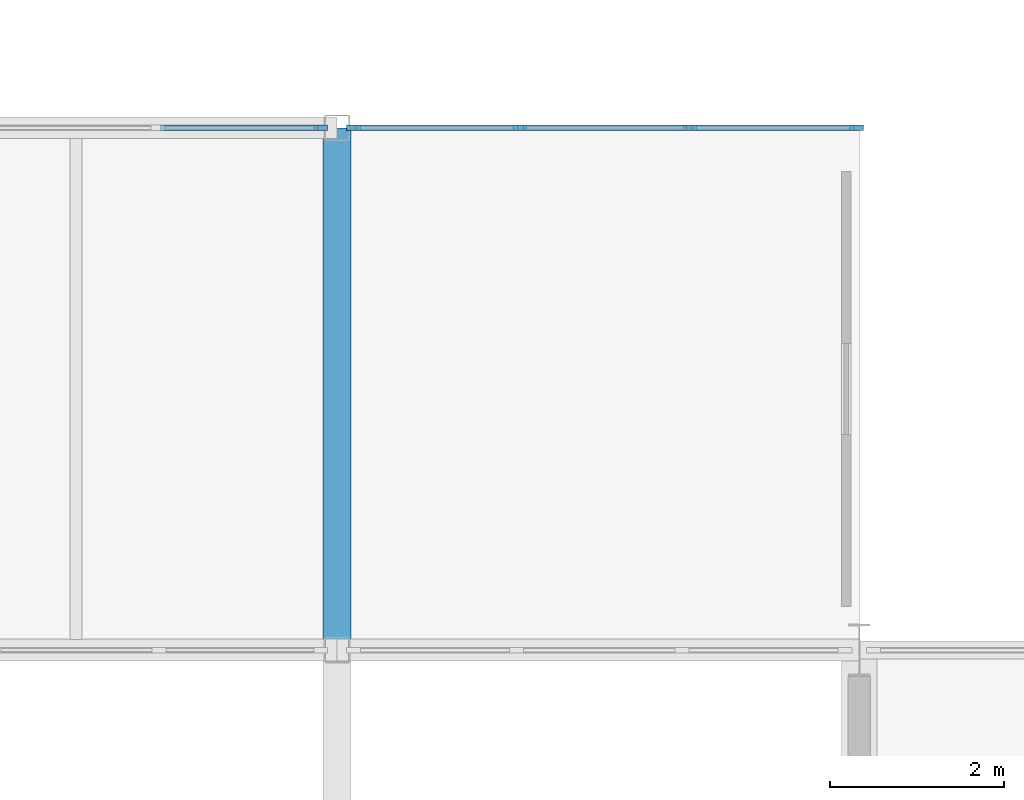
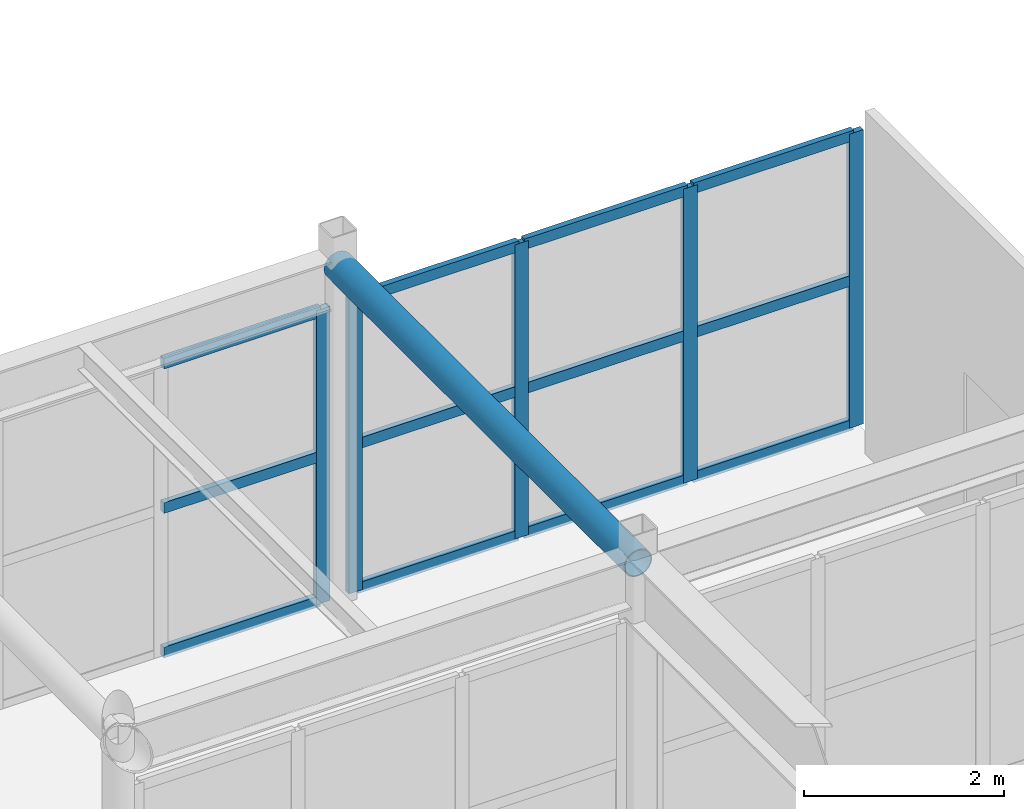
# One storey, part 39 of 96: 17 members, 1 beam, 2 elements without a shape of their own.
"""IFC4 building model written with IfcOpenShell, lengths in metres."""

import ifcopenshell
import ifcopenshell.guid

model = None  # the IFC model being written
_history = None  # IfcOwnerHistory: only IFC2X3 demands one
_inside = {}  # id of a spatial element -> (the spatial element, [elements in it])
_under = {}  # id of a project, library or spatial element -> (it, [spatial elements below it])
_declared = {}  # id of a project -> (the project, [libraries it declares])
_typed = {}  # id of a type object -> (the type object, [elements of that type])
_made_of = {}  # id of a material, layer set ... -> (it, [elements and type objects made of it])


def new_model(schema):
    """Start an empty IFC model of exactly this schema.

    Asked for "IFC4X3", IfcOpenShell would pick the latest addendum, in which some entities
    have other attributes; the version numbers below select the first issue.
    IFC2X3 requires an IfcOwnerHistory on every rooted entity: one is made here for all.
    """
    global model, _history
    if schema == "IFC4X3":
        model = ifcopenshell.file(schema_version=(4, 3, 0, 0))
    else:
        model = ifcopenshell.file(schema=schema)
    _inside.clear()
    _under.clear()
    _declared.clear()
    _typed.clear()
    _made_of.clear()
    _history = None
    if model.schema == "IFC2X3":
        org = make("IfcOrganization", Name="unknown")
        user = make(
            "IfcPersonAndOrganization",
            ThePerson=make("IfcPerson", FamilyName="unknown"),
            TheOrganization=org,
        )
        app = make(
            "IfcApplication",
            ApplicationDeveloper=org,
            Version="unknown",
            ApplicationFullName="unknown",
            ApplicationIdentifier="unknown",
        )
        _history = make(
            "IfcOwnerHistory",
            OwningUser=user,
            OwningApplication=app,
            ChangeAction="ADDED",
            CreationDate=0,
        )
    return model


def make(cls, **values):
    """One entity of the class cls with the attributes given. An attribute that is None is left unset."""
    return model.create_entity(
        cls, **{name: value for name, value in values.items() if value is not None}
    )


def rooted(cls, **values):
    """An entity with a GlobalId (a new one), such as an element, a storey or a relation."""
    return make(cls, GlobalId=ifcopenshell.guid.new(), OwnerHistory=_history, **values)


def si_unit(unit_type, name, prefix=None):
    """IfcSIUnit, for example si_unit("LENGTHUNIT", "METRE", prefix="MILLI")."""
    return make("IfcSIUnit", UnitType=unit_type, Prefix=prefix, Name=name)


def assignment(units):
    """IfcUnitAssignment: the units of a project."""
    return None if units is None else make("IfcUnitAssignment", Units=units)


def point(xyz):
    """IfcCartesianPoint."""
    return None if xyz is None else make("IfcCartesianPoint", Coordinates=xyz)


def direction(xyz):
    """IfcDirection."""
    return None if xyz is None else make("IfcDirection", DirectionRatios=xyz)


def frame(location, z_axis=None, x_axis=None):
    """IfcAxis2Placement3D, a coordinate frame: its origin and axes. An axis left out is left unset."""
    return make(
        "IfcAxis2Placement3D",
        Location=point(location),
        Axis=direction(z_axis),
        RefDirection=direction(x_axis),
    )


def frame_2d(location, x_axis=None):
    """IfcAxis2Placement2D, a coordinate frame in the plane: its origin and x axis."""
    return make(
        "IfcAxis2Placement2D", Location=point(location), RefDirection=direction(x_axis)
    )


def origin():
    """The frame at (0, 0, 0) with its axes left unset."""
    return frame((0.0, 0.0, 0.0))


def origin_2d():
    """The frame at (0, 0) in the plane with its x axis left unset."""
    return frame_2d((0.0, 0.0))


def place(relative_to, where):
    """IfcLocalPlacement: puts the frame where relative to a parent placement (None: the world)."""
    return make(
        "IfcLocalPlacement", PlacementRelTo=relative_to, RelativePlacement=where
    )


def context(
    kind, dimensions, precision=None, world=None, true_north=None, identifier=None
):
    """IfcGeometricRepresentationContext, for example the 3D "Model" context."""
    return make(
        "IfcGeometricRepresentationContext",
        ContextIdentifier=identifier,
        ContextType=kind,
        CoordinateSpaceDimension=dimensions,
        Precision=precision,
        WorldCoordinateSystem=world,
        TrueNorth=true_north,
    )


def subcontext(parent, identifier, kind, view, scale=None):
    """IfcGeometricRepresentationSubContext, for example "Body" below "Model"."""
    return make(
        "IfcGeometricRepresentationSubContext",
        ContextIdentifier=identifier,
        ContextType=kind,
        ParentContext=parent,
        TargetScale=scale,
        TargetView=view,
    )


def project(units=None, contexts=None):
    """IfcProject with its units and contexts."""
    return rooted(
        "IfcProject",
        Name="project",
        RepresentationContexts=contexts,
        UnitsInContext=assignment(units),
    )


def spatial(cls, under=None, at=None, **own):
    """A site, building, storey or space (cls), placed at a placement, below another one or the project."""
    s = rooted(cls, ObjectPlacement=at, **own)
    if under is not None:
        _under.setdefault(under.id(), (under, []))[1].append(s)
    return s


def profile(cls, at=None, kind="AREA", **sizes):
    """A parametric profile (cls). Its sizes go by their IFC names, for example OverallWidth=200.0."""
    return make(cls, ProfileType=kind, Position=at, **sizes)


def rectangle(**sizes):
    """IfcRectangleProfileDef."""
    return profile("IfcRectangleProfileDef", **sizes)


def hollow_circle(**sizes):
    """IfcCircleHollowProfileDef."""
    return profile("IfcCircleHollowProfileDef", **sizes)


def extrude(swept, where, along, depth):
    """IfcExtrudedAreaSolid: the profile swept, set in the frame where, extruded along a direction by depth."""
    return make(
        "IfcExtrudedAreaSolid",
        SweptArea=swept,
        Position=where,
        ExtrudedDirection=direction(along),
        Depth=depth,
    )


def shape(context_of_items, identifier, shape_type, items):
    """IfcShapeRepresentation: the items that make up one representation, for example the "Body"."""
    return make(
        "IfcShapeRepresentation",
        ContextOfItems=context_of_items,
        RepresentationIdentifier=identifier,
        RepresentationType=shape_type,
        Items=items,
    )


def material(Name=None, Category=None):
    """IfcMaterial."""
    return make("IfcMaterial", Name=Name, Category=Category)


def material_profile(
    of_material, cross_section, Name=None, Category=None, Priority=None
):
    """IfcMaterialProfile: a cross section and its material."""
    return make(
        "IfcMaterialProfile",
        Name=Name,
        Material=of_material,
        Profile=cross_section,
        Priority=Priority,
        Category=Category,
    )


def profile_set(profiles, Name=None, composite=None):
    """IfcMaterialProfileSet."""
    return make(
        "IfcMaterialProfileSet",
        Name=Name,
        MaterialProfiles=profiles,
        CompositeProfile=composite,
    )


def made_of(thing, what):
    """Note that an element or type object is made of a material, layer set ...; save() writes the relation."""
    if what is not None:
        _made_of.setdefault(what.id(), (what, []))[1].append(thing)
    return thing


def type_object(cls, material=None, **own):
    """A type object (cls), such as IfcWallType, which elements share."""
    return made_of(rooted(cls, **own), material)


def element(
    cls,
    number,
    at=None,
    inside=None,
    cuts=None,
    type_object=None,
    material=None,
    context=None,
    identifier="Body",
    shape_type=None,
    held_by="IfcProductDefinitionShape",
    body=None,
    shapes=None,
    **own,
):
    """One element of the class cls, such as IfcWall. Its Tag is "e" and its number.

    at: its placement. inside: the storey or other place that contains it. cuts: it is an
    opening in that element (IfcRelVoidsElement). A single representation is given by context,
    identifier, shape_type and body (its items); several are given by shapes. held_by: the class
    of the entity that holds the representations. save() writes the other relations.
    """
    e = rooted(cls, Tag="e%d" % number, ObjectPlacement=at, **own)
    if body is not None:
        shapes = [shape(context, identifier, shape_type, body)]
    if shapes is not None:
        e.Representation = make(held_by, Representations=shapes)
    if inside is not None:
        _inside.setdefault(inside.id(), (inside, []))[1].append(e)
    if cuts is not None:
        rooted(
            "IfcRelVoidsElement", RelatingBuildingElement=cuts, RelatedOpeningElement=e
        )
    if type_object is not None:
        _typed.setdefault(type_object.id(), (type_object, []))[1].append(e)
    return made_of(e, material)


def aggregate(whole, parts):
    """IfcRelAggregates: a whole, such as a stair, and the parts it consists of."""
    return rooted("IfcRelAggregates", RelatingObject=whole, RelatedObjects=parts)


def save(model, path):
    """Write the relations noted so far, then the file.

    IfcRelAggregates (storeys below a building ...), IfcRelContainedInSpatialStructure (elements
    in a storey), IfcRelDefinesByType, IfcRelAssociatesMaterial and IfcRelDeclares: one each for
    every whole, place, type object, material and project.
    """
    for whole, parts in _under.values():
        aggregate(whole, parts)
    for where, things in _inside.values():
        rooted(
            "IfcRelContainedInSpatialStructure",
            RelatedElements=things,
            RelatingStructure=where,
        )
    for kind, things in _typed.values():
        rooted("IfcRelDefinesByType", RelatedObjects=things, RelatingType=kind)
    for what, things in _made_of.values():
        rooted("IfcRelAssociatesMaterial", RelatedObjects=things, RelatingMaterial=what)
    for by, libraries in _declared.values():
        rooted("IfcRelDeclares", RelatingContext=by, RelatedDefinitions=libraries)
    model.write(path)


model = new_model("IFC4")

# Units and contexts
model_context = context("Model", 3, precision=1e-05, world=origin(), true_north=direction((0.0, 1.0)))
body_context = subcontext(model_context, "Body", "Model", "MODEL_VIEW")
ifc_project = project(units=[si_unit("LENGTHUNIT", "METRE"), si_unit("AREAUNIT", "SQUARE_METRE"), si_unit("VOLUMEUNIT", "CUBIC_METRE"), si_unit("PLANEANGLEUNIT", "RADIAN"), si_unit("MASSUNIT", "GRAM", prefix="KILO")], contexts=[model_context])

# Site, building, storey
site_placement = place(None, origin())
site = spatial("IfcSite", under=ifc_project, at=site_placement, CompositionType="ELEMENT")
building_placement = place(site_placement, origin())
building = spatial("IfcBuilding", under=site, at=building_placement, Name="Varnakota Square Police Headquarters", CompositionType="ELEMENT")
storey_placement = place(building_placement, frame((0.0, 0.0, 4.800048828125)))
storey = spatial("IfcBuildingStorey", under=building, at=storey_placement, Name="L01", CompositionType="ELEMENT", Elevation=4.800048828125)

# Beam
ifc_material_1 = material(Name="Steel IS 2062 Grade 350", Category="steel")
ifc_material_profile_1 = material_profile(ifc_material_1, hollow_circle(Radius=0.161865234375, WallThickness=0.0126953125, at=origin_2d()), Name="CHS 323.9x12.7")
ifc_profile_set_1 = profile_set([ifc_material_profile_1], Name="Steel IS 2062 Grade 350")
beam_type = type_object("IfcBeamType", Name="BM-ARC-CHS324", PredefinedType="BEAM", material=ifc_profile_set_1)
beam_placement = place(storey_placement, frame((102.0, 15.0, 4.0380859375), z_axis=(0.0, 1.0, 0.0), x_axis=(-1.0, 0.0, 0.0)))
element("IfcBeam", 1, at=beam_placement, inside=storey, type_object=beam_type, Name="BMG-L01-1679", PredefinedType="BEAM", context=body_context, shape_type="SweptSolid", body=[
    extrude(hollow_circle(Radius=0.161865234375, WallThickness=0.0126953125, at=origin_2d()), origin(), (0.0, 0.0, 1.0), 6.0),
])

# Curtain wall, member
ifc_material_2 = material(Name="Anodised Aluminium Framing", Category="aluminium")
curtain_wall_type = type_object("IfcCurtainWallType", Name="CW-SYS-E", PredefinedType="NOTDEFINED", material=ifc_material_2)
curtain_wall_1_placement = place(storey_placement, origin())
curtain_wall_1 = element("IfcCurtainWall", 2, at=curtain_wall_1_placement, inside=storey, type_object=curtain_wall_type, Name="Unitised curtain wall CWG-L01-217", PredefinedType="NOTDEFINED")
ifc_material_3 = material(Name="Anodised Aluminium 6063-T6", Category="aluminium")
ifc_material_profile_2 = material_profile(ifc_material_3, rectangle(XDim=0.06494140625, YDim=0.159912109375, at=origin_2d()), Name="ALU MULLION 65x160")
ifc_profile_set_2 = profile_set([ifc_material_profile_2], Name="Anodised Aluminium 6063-T6")
member_type_1 = type_object("IfcMemberType", Name="CWM-150", PredefinedType="MULLION", material=ifc_profile_set_2)
member_1_placement = place(storey_placement, frame((101.8125, 21.0, 0.0), z_axis=(0.0, 0.0, 1.0), x_axis=(0.0, 1.0, 0.0)))
member_1 = element("IfcMember", 3, at=member_1_placement, type_object=member_type_1, Name="CWG-L01-217 mullion 4", PredefinedType="MULLION", context=body_context, shape_type="SweptSolid", body=[
    extrude(rectangle(XDim=0.06494140625, YDim=0.159912109375, at=origin_2d()), origin(), (0.0, 0.0, 1.0), 3.58984375),
])

# Curtain wall, members
curtain_wall_2_placement = place(storey_placement, origin())
curtain_wall_2 = element("IfcCurtainWall", 4, at=curtain_wall_2_placement, inside=storey, type_object=curtain_wall_type, Name="Unitised curtain wall CWG-L01-219", PredefinedType="NOTDEFINED")
member_2_placement = place(storey_placement, frame((102.1875, 21.0, 0.0), z_axis=(0.0, 0.0, 1.0), x_axis=(0.0, 1.0, 0.0)))
member_2 = element("IfcMember", 5, at=member_2_placement, type_object=member_type_1, Name="CWG-L01-219 mullion 1", PredefinedType="MULLION", context=body_context, shape_type="SweptSolid", body=[
    extrude(rectangle(XDim=0.06494140625, YDim=0.159912109375, at=origin_2d()), origin(), (0.0, 0.0, 1.0), 3.58984375),
])
member_3_placement = place(storey_placement, frame((104.103271484375, 21.0, 0.0), z_axis=(0.0, 0.0, 1.0), x_axis=(0.0, 1.0, 0.0)))
member_3 = element("IfcMember", 6, at=member_3_placement, type_object=member_type_1, Name="CWG-L01-219 mullion 2", PredefinedType="MULLION", context=body_context, shape_type="SweptSolid", body=[
    extrude(rectangle(XDim=0.06494140625, YDim=0.159912109375, at=origin_2d()), origin(), (0.0, 0.0, 1.0), 3.58984375),
])
member_4_placement = place(storey_placement, frame((106.0517578125, 21.0, 0.0), z_axis=(0.0, 0.0, 1.0), x_axis=(0.0, 1.0, 0.0)))
member_4 = element("IfcMember", 7, at=member_4_placement, type_object=member_type_1, Name="CWG-L01-219 mullion 3", PredefinedType="MULLION", context=body_context, shape_type="SweptSolid", body=[
    extrude(rectangle(XDim=0.06494140625, YDim=0.159912109375, at=origin_2d()), origin(), (0.0, 0.0, 1.0), 3.58984375),
])
member_5_placement = place(storey_placement, frame((107.967529296875, 21.0, 0.0), z_axis=(0.0, 0.0, 1.0), x_axis=(0.0, 1.0, 0.0)))
member_5 = element("IfcMember", 8, at=member_5_placement, type_object=member_type_1, Name="CWG-L01-219 mullion 4", PredefinedType="MULLION", context=body_context, shape_type="SweptSolid", body=[
    extrude(rectangle(XDim=0.06494140625, YDim=0.159912109375, at=origin_2d()), origin(), (0.0, 0.0, 1.0), 3.58984375),
])

# Member
ifc_material_profile_3 = material_profile(ifc_material_3, rectangle(XDim=0.06494140625, YDim=0.1298828125, at=origin_2d()), Name="ALU TRANSOM 65x130")
ifc_profile_set_3 = profile_set([ifc_material_profile_3], Name="Anodised Aluminium 6063-T6")
member_type_2 = type_object("IfcMemberType", Name="CWT-120", PredefinedType="USERDEFINED", material=ifc_profile_set_3)
member_6_placement = place(storey_placement, frame((99.972412109375, 21.0, 0.032470703125), z_axis=(1.0, 0.0, 0.0), x_axis=(0.0, 1.0, 0.0)))
member_6 = element("IfcMember", 9, at=member_6_placement, type_object=member_type_2, Name="CWG-L01-217 transom 3.1", ObjectType="TRANSOM", PredefinedType="USERDEFINED", context=body_context, shape_type="SweptSolid", body=[
    extrude(rectangle(XDim=0.06494140625, YDim=0.1298828125, at=origin_2d()), origin(), (0.0, 0.0, 1.0), 1.8076171875),
])

member_7_placement = place(storey_placement, frame((99.972412109375, 21.0, 1.794921875), z_axis=(1.0, 0.0, 0.0), x_axis=(0.0, 1.0, 0.0)))
member_7 = element("IfcMember", 10, at=member_7_placement, type_object=member_type_2, Name="CWG-L01-217 transom 3.2", ObjectType="TRANSOM", PredefinedType="USERDEFINED", context=body_context, shape_type="SweptSolid", body=[
    extrude(rectangle(XDim=0.06494140625, YDim=0.1298828125, at=origin_2d()), origin(), (0.0, 0.0, 1.0), 1.8076171875),
])

member_8_placement = place(storey_placement, frame((99.972412109375, 21.0, 3.557373046875), z_axis=(1.0, 0.0, 0.0), x_axis=(0.0, 1.0, 0.0)))
member_8 = element("IfcMember", 11, at=member_8_placement, type_object=member_type_2, Name="CWG-L01-217 transom 3.3", ObjectType="TRANSOM", PredefinedType="USERDEFINED", context=body_context, shape_type="SweptSolid", body=[
    extrude(rectangle(XDim=0.06494140625, YDim=0.1298828125, at=origin_2d()), origin(), (0.0, 0.0, 1.0), 1.8076171875),
])

aggregate(curtain_wall_1, [member_1, member_6, member_7, member_8])

member_9_placement = place(storey_placement, frame((102.219970703125, 21.0, 0.032470703125), z_axis=(1.0, 0.0, 0.0), x_axis=(0.0, 1.0, 0.0)))
member_9 = element("IfcMember", 12, at=member_9_placement, type_object=member_type_2, Name="CWG-L01-219 transom 1.1", ObjectType="TRANSOM", PredefinedType="USERDEFINED", context=body_context, shape_type="SweptSolid", body=[
    extrude(rectangle(XDim=0.06494140625, YDim=0.1298828125, at=origin_2d()), origin(), (0.0, 0.0, 1.0), 1.850830078125),
])

member_10_placement = place(storey_placement, frame((102.219970703125, 21.0, 1.794921875), z_axis=(1.0, 0.0, 0.0), x_axis=(0.0, 1.0, 0.0)))
member_10 = element("IfcMember", 13, at=member_10_placement, type_object=member_type_2, Name="CWG-L01-219 transom 1.2", ObjectType="TRANSOM", PredefinedType="USERDEFINED", context=body_context, shape_type="SweptSolid", body=[
    extrude(rectangle(XDim=0.06494140625, YDim=0.1298828125, at=origin_2d()), origin(), (0.0, 0.0, 1.0), 1.850830078125),
])

member_11_placement = place(storey_placement, frame((102.219970703125, 21.0, 3.557373046875), z_axis=(1.0, 0.0, 0.0), x_axis=(0.0, 1.0, 0.0)))
member_11 = element("IfcMember", 14, at=member_11_placement, type_object=member_type_2, Name="CWG-L01-219 transom 1.3", ObjectType="TRANSOM", PredefinedType="USERDEFINED", context=body_context, shape_type="SweptSolid", body=[
    extrude(rectangle(XDim=0.06494140625, YDim=0.1298828125, at=origin_2d()), origin(), (0.0, 0.0, 1.0), 1.850830078125),
])

member_12_placement = place(storey_placement, frame((104.1357421875, 21.0, 0.032470703125), z_axis=(1.0, 0.0, 0.0), x_axis=(0.0, 1.0, 0.0)))
member_12 = element("IfcMember", 15, at=member_12_placement, type_object=member_type_2, Name="CWG-L01-219 transom 2.1", ObjectType="TRANSOM", PredefinedType="USERDEFINED", context=body_context, shape_type="SweptSolid", body=[
    extrude(rectangle(XDim=0.06494140625, YDim=0.1298828125, at=origin_2d()), origin(), (0.0, 0.0, 1.0), 1.883544921875),
])

member_13_placement = place(storey_placement, frame((104.1357421875, 21.0, 1.794921875), z_axis=(1.0, 0.0, 0.0), x_axis=(0.0, 1.0, 0.0)))
member_13 = element("IfcMember", 16, at=member_13_placement, type_object=member_type_2, Name="CWG-L01-219 transom 2.2", ObjectType="TRANSOM", PredefinedType="USERDEFINED", context=body_context, shape_type="SweptSolid", body=[
    extrude(rectangle(XDim=0.06494140625, YDim=0.1298828125, at=origin_2d()), origin(), (0.0, 0.0, 1.0), 1.883544921875),
])

member_14_placement = place(storey_placement, frame((104.1357421875, 21.0, 3.557373046875), z_axis=(1.0, 0.0, 0.0), x_axis=(0.0, 1.0, 0.0)))
member_14 = element("IfcMember", 17, at=member_14_placement, type_object=member_type_2, Name="CWG-L01-219 transom 2.3", ObjectType="TRANSOM", PredefinedType="USERDEFINED", context=body_context, shape_type="SweptSolid", body=[
    extrude(rectangle(XDim=0.06494140625, YDim=0.1298828125, at=origin_2d()), origin(), (0.0, 0.0, 1.0), 1.883544921875),
])

member_15_placement = place(storey_placement, frame((106.084228515625, 21.0, 0.032470703125), z_axis=(1.0, 0.0, 0.0), x_axis=(0.0, 1.0, 0.0)))
member_15 = element("IfcMember", 18, at=member_15_placement, type_object=member_type_2, Name="CWG-L01-219 transom 3.1", ObjectType="TRANSOM", PredefinedType="USERDEFINED", context=body_context, shape_type="SweptSolid", body=[
    extrude(rectangle(XDim=0.06494140625, YDim=0.1298828125, at=origin_2d()), origin(), (0.0, 0.0, 1.0), 1.850830078125),
])

member_16_placement = place(storey_placement, frame((106.084228515625, 21.0, 1.794921875), z_axis=(1.0, 0.0, 0.0), x_axis=(0.0, 1.0, 0.0)))
member_16 = element("IfcMember", 19, at=member_16_placement, type_object=member_type_2, Name="CWG-L01-219 transom 3.2", ObjectType="TRANSOM", PredefinedType="USERDEFINED", context=body_context, shape_type="SweptSolid", body=[
    extrude(rectangle(XDim=0.06494140625, YDim=0.1298828125, at=origin_2d()), origin(), (0.0, 0.0, 1.0), 1.850830078125),
])

member_17_placement = place(storey_placement, frame((106.084228515625, 21.0, 3.557373046875), z_axis=(1.0, 0.0, 0.0), x_axis=(0.0, 1.0, 0.0)))
member_17 = element("IfcMember", 20, at=member_17_placement, type_object=member_type_2, Name="CWG-L01-219 transom 3.3", ObjectType="TRANSOM", PredefinedType="USERDEFINED", context=body_context, shape_type="SweptSolid", body=[
    extrude(rectangle(XDim=0.06494140625, YDim=0.1298828125, at=origin_2d()), origin(), (0.0, 0.0, 1.0), 1.850830078125),
])

aggregate(curtain_wall_2, [member_2, member_3, member_4, member_5, member_9, member_10, member_11, member_12, member_13, member_14, member_15, member_16, member_17])

save(model, "model.ifc")
